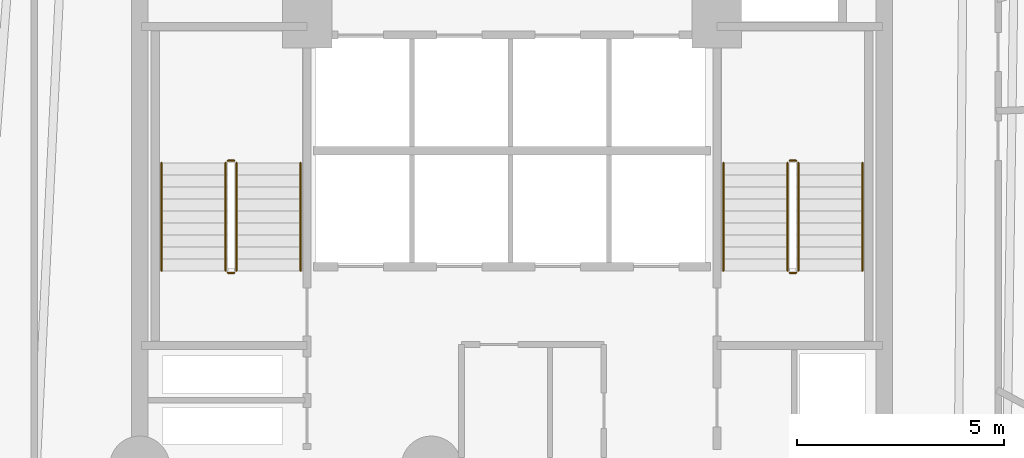
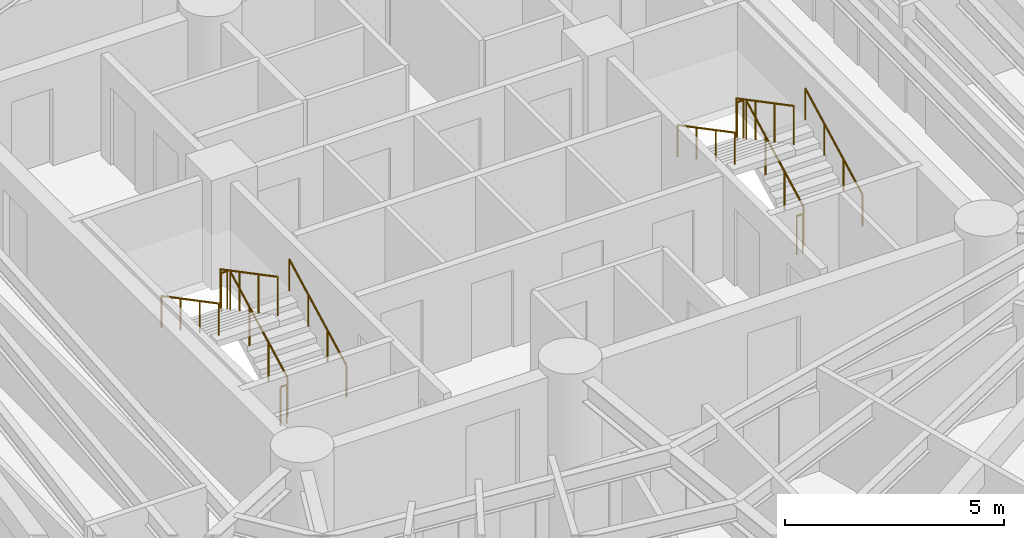
# One storey, part 8 of 8: 12 railings.
"""IFC4 building model written with IfcOpenShell, lengths in metres."""

from ifc_helpers import new_model, si_unit, direction, frame, origin, origin_2d, place, context, subcontext, project, spatial, circle, extrude, material, layer, layer_set, type_object, element, save


model = new_model("IFC4")

# Units and contexts
model_context = context("Model", 3, precision=1e-05, world=origin(), true_north=direction((0.0, 1.0)))
body_context = subcontext(model_context, "Body", "Model", "MODEL_VIEW")
ifc_project = project(units=[si_unit("LENGTHUNIT", "METRE"), si_unit("AREAUNIT", "SQUARE_METRE"), si_unit("VOLUMEUNIT", "CUBIC_METRE"), si_unit("PLANEANGLEUNIT", "RADIAN"), si_unit("MASSUNIT", "GRAM", prefix="KILO")], contexts=[model_context])

# Site, building, storey
site_placement = place(None, origin())
site = spatial("IfcSite", under=ifc_project, at=site_placement, CompositionType="ELEMENT")
building_placement = place(site_placement, origin())
building = spatial("IfcBuilding", under=site, at=building_placement, Name="Karkom Vertical University and Central Library", CompositionType="ELEMENT")
storey_placement = place(building_placement, frame((0.0, 0.0, 99.25)))
storey = spatial("IfcBuildingStorey", under=building, at=storey_placement, Name="L26", CompositionType="ELEMENT", Elevation=99.25)

# Railings
ifc_material_1 = material(Name="Painted galvanised steel balustrade", Category="steel")
ifc_layer_1 = layer(ifc_material_1, 0.06005859375)
ifc_layer_set_1 = layer_set([ifc_layer_1], Name="Painted galvanised steel balustrade")
railing_type_1 = type_object("IfcRailingType", Name="INT-RL-GUARD1100", PredefinedType="GUARDRAIL", material=ifc_layer_set_1)
railing_1_placement = place(storey_placement, frame((21.840087890625, 23.02001953125, 0.152587890625)))
element("IfcRailing", 1, at=railing_1_placement, inside=storey, type_object=railing_type_1, Name="Level 26 ST-1 stair guard 1", PredefinedType="GUARDRAIL", context=body_context, shape_type="SweptSolid", body=[
    extrude(circle(Radius=0.02392578125, at=origin_2d()), frame((0.0, 0.0, 1.076171875), z_axis=(0.0, 0.885099554253, 0.465401739426), x_axis=(-1.0, 0.0, 0.0)), (0.0, 0.0, 1.0), 2.94873046875),
    extrude(circle(Radius=0.02099609375, at=origin_2d()), origin(), (0.0, 0.0, 1.0), 1.052001953125),
    extrude(circle(Radius=0.02099609375, at=origin_2d()), frame((0.0, 0.869873046875, 0.45751953125)), (0.0, 0.0, 1.0), 1.052001953125),
    extrude(circle(Radius=0.02099609375, at=origin_2d()), frame((0.0, 1.739990234375, 0.914794921875)), (0.0, 0.0, 1.0), 1.052001953125),
    extrude(circle(Radius=0.02099609375, at=origin_2d()), frame((0.0, 2.60986328125, 1.372314453125)), (0.0, 0.0, 1.0), 1.052001953125),
])
railing_2_placement = place(storey_placement, frame((21.7900390625, 25.679931640625, 1.52490234375)))
element("IfcRailing", 2, at=railing_2_placement, inside=storey, type_object=railing_type_1, Name="Level 26 ST-1 stair guard 2", PredefinedType="GUARDRAIL", context=body_context, shape_type="SweptSolid", body=[
    extrude(circle(Radius=0.02392578125, at=origin_2d()), frame((0.0, 0.0, 1.076171875), z_axis=(-1.0, 0.0, 0.0), x_axis=(0.0, -1.0, 0.0)), (0.0, 0.0, 1.0), 0.16015625),
    extrude(circle(Radius=0.02099609375, at=origin_2d()), origin(), (0.0, 0.0, 1.0), 1.052001953125),
    extrude(circle(Radius=0.02099609375, at=origin_2d()), frame((-0.16015625, 0.0, 0.0)), (0.0, 0.0, 1.0), 1.052001953125),
])
railing_3_placement = place(storey_placement, frame((21.580078125, 25.6298828125, 1.677490234375)))
element("IfcRailing", 3, at=railing_3_placement, inside=storey, type_object=railing_type_1, Name="Level 26 ST-1 stair guard 3", PredefinedType="GUARDRAIL", context=body_context, shape_type="SweptSolid", body=[
    extrude(circle(Radius=0.02392578125, at=origin_2d()), frame((0.0, 0.0, 1.076171875), z_axis=(0.0, -0.885065446896, 0.46546659892), x_axis=(1.0, 0.0, 0.0)), (0.0, 0.0, 1.0), 2.94873046875),
    extrude(circle(Radius=0.02099609375, at=origin_2d()), origin(), (0.0, 0.0, 1.0), 1.052001953125),
    extrude(circle(Radius=0.02099609375, at=origin_2d()), frame((0.0, -0.869873046875, 0.45751953125)), (0.0, 0.0, 1.0), 1.052001953125),
    extrude(circle(Radius=0.02099609375, at=origin_2d()), frame((0.0, -1.739990234375, 0.9150390625)), (0.0, 0.0, 1.0), 1.052001953125),
    extrude(circle(Radius=0.02099609375, at=origin_2d()), frame((0.0, -2.60986328125, 1.37255859375)), (0.0, 0.0, 1.0), 1.052001953125),
])
railing_4_placement = place(storey_placement, frame((21.7900390625, 22.969970703125, 0.0)))
element("IfcRailing", 4, at=railing_4_placement, inside=storey, type_object=railing_type_1, Name="Level 26 ST-1 stair guard 4", PredefinedType="GUARDRAIL", context=body_context, shape_type="SweptSolid", body=[
    extrude(circle(Radius=0.02392578125, at=origin_2d()), frame((0.0, 0.0, 1.076171875), z_axis=(-1.0, 0.0, 0.0), x_axis=(0.0, -1.0, 0.0)), (0.0, 0.0, 1.0), 0.16015625),
    extrude(circle(Radius=0.02099609375, at=origin_2d()), origin(), (0.0, 0.0, 1.0), 1.052001953125),
    extrude(circle(Radius=0.02099609375, at=origin_2d()), frame((-0.16015625, 0.0, 0.0)), (0.0, 0.0, 1.0), 1.052001953125),
])
railing_5_placement = place(storey_placement, frame((35.419921875, 23.02001953125, 0.152587890625)))
element("IfcRailing", 5, at=railing_5_placement, inside=storey, type_object=railing_type_1, Name="Level 26 ST-2 stair guard 1", PredefinedType="GUARDRAIL", context=body_context, shape_type="SweptSolid", body=[
    extrude(circle(Radius=0.02392578125, at=origin_2d()), frame((0.0, 0.0, 1.076171875), z_axis=(0.0, 0.885099554253, 0.465401739426), x_axis=(-1.0, 0.0, 0.0)), (0.0, 0.0, 1.0), 2.94873046875),
    extrude(circle(Radius=0.02099609375, at=origin_2d()), origin(), (0.0, 0.0, 1.0), 1.052001953125),
    extrude(circle(Radius=0.02099609375, at=origin_2d()), frame((0.0, 0.869873046875, 0.45751953125)), (0.0, 0.0, 1.0), 1.052001953125),
    extrude(circle(Radius=0.02099609375, at=origin_2d()), frame((0.0, 1.739990234375, 0.914794921875)), (0.0, 0.0, 1.0), 1.052001953125),
    extrude(circle(Radius=0.02099609375, at=origin_2d()), frame((0.0, 2.60986328125, 1.372314453125)), (0.0, 0.0, 1.0), 1.052001953125),
])
railing_6_placement = place(storey_placement, frame((35.3701171875, 25.679931640625, 1.52490234375)))
element("IfcRailing", 6, at=railing_6_placement, inside=storey, type_object=railing_type_1, Name="Level 26 ST-2 stair guard 2", PredefinedType="GUARDRAIL", context=body_context, shape_type="SweptSolid", body=[
    extrude(circle(Radius=0.02392578125, at=origin_2d()), frame((0.0, 0.0, 1.076171875), z_axis=(-1.0, 0.0, 0.0), x_axis=(0.0, -1.0, 0.0)), (0.0, 0.0, 1.0), 0.16015625),
    extrude(circle(Radius=0.02099609375, at=origin_2d()), origin(), (0.0, 0.0, 1.0), 1.052001953125),
    extrude(circle(Radius=0.02099609375, at=origin_2d()), frame((-0.16015625, 0.0, 0.0)), (0.0, 0.0, 1.0), 1.052001953125),
])
railing_7_placement = place(storey_placement, frame((35.159912109375, 25.6298828125, 1.677490234375)))
element("IfcRailing", 7, at=railing_7_placement, inside=storey, type_object=railing_type_1, Name="Level 26 ST-2 stair guard 3", PredefinedType="GUARDRAIL", context=body_context, shape_type="SweptSolid", body=[
    extrude(circle(Radius=0.02392578125, at=origin_2d()), frame((0.0, 0.0, 1.076171875), z_axis=(0.0, -0.885065446896, 0.46546659892), x_axis=(1.0, 0.0, 0.0)), (0.0, 0.0, 1.0), 2.94873046875),
    extrude(circle(Radius=0.02099609375, at=origin_2d()), origin(), (0.0, 0.0, 1.0), 1.052001953125),
    extrude(circle(Radius=0.02099609375, at=origin_2d()), frame((0.0, -0.869873046875, 0.45751953125)), (0.0, 0.0, 1.0), 1.052001953125),
    extrude(circle(Radius=0.02099609375, at=origin_2d()), frame((0.0, -1.739990234375, 0.9150390625)), (0.0, 0.0, 1.0), 1.052001953125),
    extrude(circle(Radius=0.02099609375, at=origin_2d()), frame((0.0, -2.60986328125, 1.37255859375)), (0.0, 0.0, 1.0), 1.052001953125),
])
railing_8_placement = place(storey_placement, frame((35.3701171875, 22.969970703125, 0.0)))
element("IfcRailing", 8, at=railing_8_placement, inside=storey, type_object=railing_type_1, Name="Level 26 ST-2 stair guard 4", PredefinedType="GUARDRAIL", context=body_context, shape_type="SweptSolid", body=[
    extrude(circle(Radius=0.02392578125, at=origin_2d()), frame((0.0, 0.0, 1.076171875), z_axis=(-1.0, 0.0, 0.0), x_axis=(0.0, -1.0, 0.0)), (0.0, 0.0, 1.0), 0.16015625),
    extrude(circle(Radius=0.02099609375, at=origin_2d()), origin(), (0.0, 0.0, 1.0), 1.052001953125),
    extrude(circle(Radius=0.02099609375, at=origin_2d()), frame((-0.16015625, 0.0, 0.0)), (0.0, 0.0, 1.0), 1.052001953125),
])
ifc_material_2 = material(Name="Brushed stainless-steel tubular handrail", Category="steel")
ifc_layer_2 = layer(ifc_material_2, 0.048095703125)
ifc_layer_set_2 = layer_set([ifc_layer_2], Name="Brushed stainless-steel tubular handrail")
railing_type_2 = type_object("IfcRailingType", Name="INT-RL-HAND920", PredefinedType="HANDRAIL", material=ifc_layer_set_2)
railing_9_placement = place(storey_placement, frame((23.389892578125, 23.02001953125, 0.152587890625)))
element("IfcRailing", 9, at=railing_9_placement, inside=storey, type_object=railing_type_2, Name="Level 26 ST-1 stair handrail 1", PredefinedType="HANDRAIL", context=body_context, shape_type="SweptSolid", body=[
    extrude(circle(Radius=0.02392578125, at=origin_2d()), frame((0.0, 0.0, 0.8759765625), z_axis=(0.0, 0.885099554253, 0.465401739426), x_axis=(-1.0, 0.0, 0.0)), (0.0, 0.0, 1.0), 2.94873046875),
    extrude(circle(Radius=0.02099609375, at=origin_2d()), origin(), (0.0, 0.0, 1.0), 0.851806640625),
    extrude(circle(Radius=0.02099609375, at=origin_2d()), frame((0.0, 0.869873046875, 0.45751953125)), (0.0, 0.0, 1.0), 0.851806640625),
    extrude(circle(Radius=0.02099609375, at=origin_2d()), frame((0.0, 1.739990234375, 0.914794921875)), (0.0, 0.0, 1.0), 0.851806640625),
    extrude(circle(Radius=0.02099609375, at=origin_2d()), frame((0.0, 2.60986328125, 1.372314453125)), (0.0, 0.0, 1.0), 0.851806640625),
])
railing_10_placement = place(storey_placement, frame((20.030029296875, 25.6298828125, 1.677490234375)))
element("IfcRailing", 10, at=railing_10_placement, inside=storey, type_object=railing_type_2, Name="Level 26 ST-1 stair handrail 2", PredefinedType="HANDRAIL", context=body_context, shape_type="SweptSolid", body=[
    extrude(circle(Radius=0.02392578125, at=origin_2d()), frame((0.0, 0.0, 0.8759765625), z_axis=(0.0, -0.885065446896, 0.46546659892), x_axis=(1.0, 0.0, 0.0)), (0.0, 0.0, 1.0), 2.94873046875),
    extrude(circle(Radius=0.02099609375, at=origin_2d()), origin(), (0.0, 0.0, 1.0), 0.851806640625),
    extrude(circle(Radius=0.02099609375, at=origin_2d()), frame((0.0, -0.869873046875, 0.45751953125)), (0.0, 0.0, 1.0), 0.851806640625),
    extrude(circle(Radius=0.02099609375, at=origin_2d()), frame((0.0, -1.739990234375, 0.9150390625)), (0.0, 0.0, 1.0), 0.851806640625),
    extrude(circle(Radius=0.02099609375, at=origin_2d()), frame((0.0, -2.60986328125, 1.37255859375)), (0.0, 0.0, 1.0), 0.851806640625),
])
railing_11_placement = place(storey_placement, frame((36.969970703125, 23.02001953125, 0.152587890625)))
element("IfcRailing", 11, at=railing_11_placement, inside=storey, type_object=railing_type_2, Name="Level 26 ST-2 stair handrail 1", PredefinedType="HANDRAIL", context=body_context, shape_type="SweptSolid", body=[
    extrude(circle(Radius=0.02392578125, at=origin_2d()), frame((0.0, 0.0, 0.8759765625), z_axis=(0.0, 0.885099554253, 0.465401739426), x_axis=(-1.0, 0.0, 0.0)), (0.0, 0.0, 1.0), 2.94873046875),
    extrude(circle(Radius=0.02099609375, at=origin_2d()), origin(), (0.0, 0.0, 1.0), 0.851806640625),
    extrude(circle(Radius=0.02099609375, at=origin_2d()), frame((0.0, 0.869873046875, 0.45751953125)), (0.0, 0.0, 1.0), 0.851806640625),
    extrude(circle(Radius=0.02099609375, at=origin_2d()), frame((0.0, 1.739990234375, 0.914794921875)), (0.0, 0.0, 1.0), 0.851806640625),
    extrude(circle(Radius=0.02099609375, at=origin_2d()), frame((0.0, 2.60986328125, 1.372314453125)), (0.0, 0.0, 1.0), 0.851806640625),
])
railing_12_placement = place(storey_placement, frame((33.610107421875, 25.6298828125, 1.677490234375)))
element("IfcRailing", 12, at=railing_12_placement, inside=storey, type_object=railing_type_2, Name="Level 26 ST-2 stair handrail 2", PredefinedType="HANDRAIL", context=body_context, shape_type="SweptSolid", body=[
    extrude(circle(Radius=0.02392578125, at=origin_2d()), frame((0.0, 0.0, 0.8759765625), z_axis=(0.0, -0.885065446896, 0.46546659892), x_axis=(1.0, 0.0, 0.0)), (0.0, 0.0, 1.0), 2.94873046875),
    extrude(circle(Radius=0.02099609375, at=origin_2d()), origin(), (0.0, 0.0, 1.0), 0.851806640625),
    extrude(circle(Radius=0.02099609375, at=origin_2d()), frame((0.0, -0.869873046875, 0.45751953125)), (0.0, 0.0, 1.0), 0.851806640625),
    extrude(circle(Radius=0.02099609375, at=origin_2d()), frame((0.0, -1.739990234375, 0.9150390625)), (0.0, 0.0, 1.0), 0.851806640625),
    extrude(circle(Radius=0.02099609375, at=origin_2d()), frame((0.0, -2.60986328125, 1.37255859375)), (0.0, 0.0, 1.0), 0.851806640625),
])

save(model, "model.ifc")
